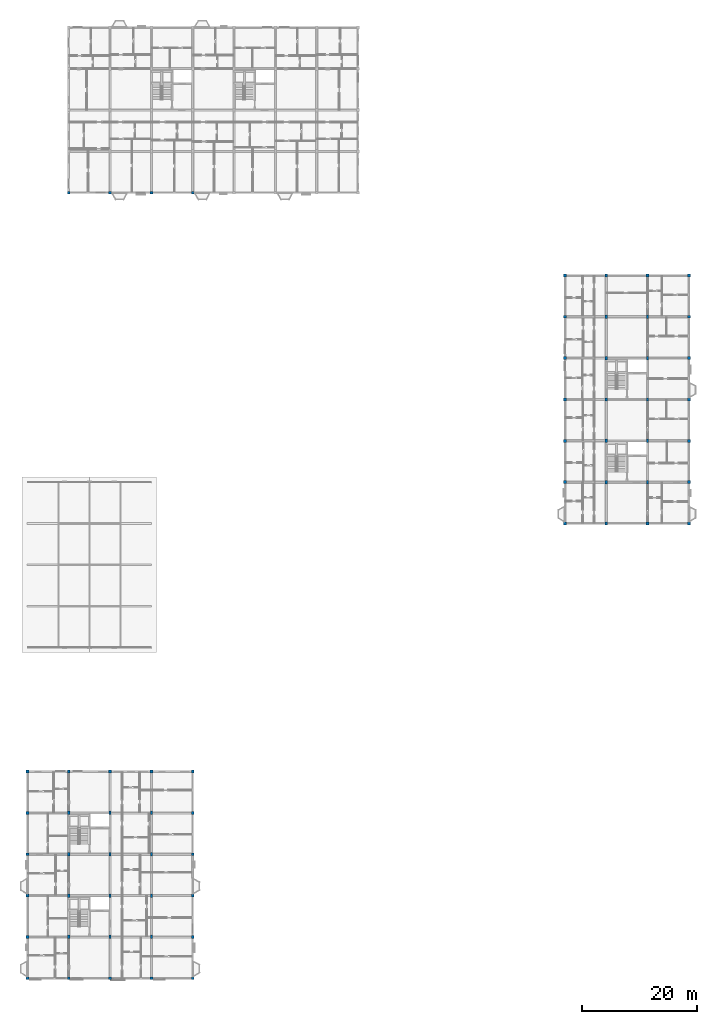
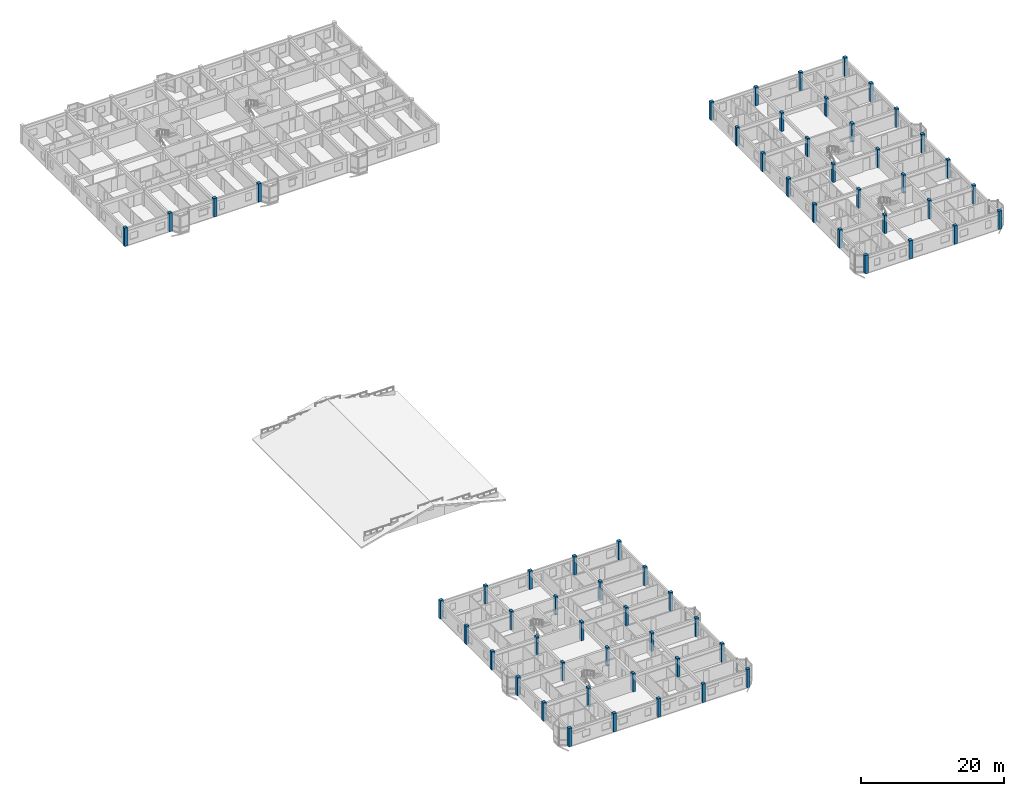
# One storey, part 1 of 65: 62 columns.
"""IFC4 building model written with IfcOpenShell, lengths in metres."""

from ifc_helpers import new_model, si_unit, direction, frame, origin, origin_2d, place, context, subcontext, project, spatial, rectangle, extrude, material, material_profile, profile_set, type_object, element, save


model = new_model("IFC4")

# Units and contexts
model_context = context("Model", 3, precision=1e-05, world=origin(), true_north=direction((0.0, 1.0)))
body_context = subcontext(model_context, "Body", "Model", "MODEL_VIEW")
ifc_project = project(units=[si_unit("LENGTHUNIT", "METRE"), si_unit("AREAUNIT", "SQUARE_METRE"), si_unit("VOLUMEUNIT", "CUBIC_METRE"), si_unit("PLANEANGLEUNIT", "RADIAN"), si_unit("MASSUNIT", "GRAM", prefix="KILO"), si_unit("THERMODYNAMICTEMPERATUREUNIT", "KELVIN"), si_unit("POWERUNIT", "WATT")], contexts=[model_context])

# Site, building, storey
site_placement = place(None, origin())
site = spatial("IfcSite", under=ifc_project, at=site_placement, CompositionType="ELEMENT")
building_placement = place(site_placement, origin())
building = spatial("IfcBuilding", under=site, at=building_placement, Name="Tavuni Mirador Residences", CompositionType="ELEMENT")
storey_placement = place(building_placement, frame((0.0, 0.0, 29.699951171875)))
storey = spatial("IfcBuildingStorey", under=building, at=storey_placement, Name="L09", CompositionType="ELEMENT", Elevation=29.699951171875)

# Columns
ifc_material = material(Name="Precast concrete C40/50", Category="concrete")
ifc_material_profile_1 = material_profile(ifc_material, rectangle(XDim=0.39990234375, YDim=0.60009765625, at=origin_2d()), Name="RC 400x600", Category="concrete")
ifc_profile_set_1 = profile_set([ifc_material_profile_1], Name="Precast concrete C40/50")
column_type_1 = type_object("IfcColumnType", Name="CT-RC400X600", PredefinedType="COLUMN", material=ifc_profile_set_1)
for number, where, z_axis, x_axis, name in (
    (1, (10.800048828125, 14.39990234375, 0.0), (0.0, 0.0, 1.0), (1.0, 0.0, 0.0), "COL-BLK-A-L09-01-01"),
    (2, (10.800048828125, 21.60009765625, 0.0), (0.0, 0.0, 1.0), (1.0, 0.0, 0.0), "COL-BLK-A-L09-01-02"),
    (3, (10.800048828125, 28.800048828125, 0.0), (0.0, 0.0, 1.0), (1.0, 0.0, 0.0), "COL-BLK-A-L09-01-03"),
    (4, (10.800048828125, 36.0, 0.0), (0.0, 0.0, 1.0), (1.0, 0.0, 0.0), "COL-BLK-A-L09-01-04"),
    (5, (18.0, 14.39990234375, 0.0), (0.0, 0.0, 1.0), (1.0, 0.0, 0.0), "COL-BLK-A-L09-02-01"),
    (6, (18.0, 21.60009765625, 0.0), (0.0, 0.0, 1.0), (1.0, 0.0, 0.0), "COL-BLK-A-L09-02-02"),
    (7, (18.0, 28.800048828125, 0.0), (0.0, 0.0, 1.0), (1.0, 0.0, 0.0), "COL-BLK-A-L09-02-03"),
    (8, (18.0, 36.0, 0.0), (0.0, 0.0, 1.0), (1.0, 0.0, 0.0), "COL-BLK-A-L09-02-04"),
    (9, (25.199951171875, 14.39990234375, 0.0), (0.0, 0.0, 1.0), (1.0, 0.0, 0.0), "COL-BLK-A-L09-03-01"),
    (10, (25.199951171875, 21.60009765625, 0.0), (0.0, 0.0, 1.0), (1.0, 0.0, 0.0), "COL-BLK-A-L09-03-02"),
    (11, (25.199951171875, 28.800048828125, 0.0), (0.0, 0.0, 1.0), (1.0, 0.0, 0.0), "COL-BLK-A-L09-03-03"),
    (12, (25.199951171875, 36.0, 0.0), (0.0, 0.0, 1.0), (1.0, 0.0, 0.0), "COL-BLK-A-L09-03-04"),
    (13, (104.39990234375, 93.60009765625, 0.0), (0.0, 0.0, 1.0), (1.0, 0.0, 0.0), "COL-BLK-D-L09-01-01"),
    (14, (104.39990234375, 100.800048828125, 0.0), (0.0, 0.0, 1.0), (1.0, 0.0, 0.0), "COL-BLK-D-L09-01-02"),
    (15, (104.39990234375, 108.0, 0.0), (0.0, 0.0, 1.0), (1.0, 0.0, 0.0), "COL-BLK-D-L09-01-03"),
    (16, (104.39990234375, 115.199951171875, 0.0), (0.0, 0.0, 1.0), (1.0, 0.0, 0.0), "COL-BLK-D-L09-01-04"),
    (17, (104.39990234375, 122.39990234375, 0.0), (0.0, 0.0, 1.0), (1.0, 0.0, 0.0), "COL-BLK-D-L09-01-05"),
    (18, (111.60009765625, 93.60009765625, 0.0), (0.0, 0.0, 1.0), (1.0, 0.0, 0.0), "COL-BLK-D-L09-02-01"),
    (19, (111.60009765625, 100.800048828125, 0.0), (0.0, 0.0, 1.0), (1.0, 0.0, 0.0), "COL-BLK-D-L09-02-02"),
    (20, (111.60009765625, 108.0, 0.0), (0.0, 0.0, 1.0), (1.0, 0.0, 0.0), "COL-BLK-D-L09-02-03"),
    (21, (111.60009765625, 115.199951171875, 0.0), (0.0, 0.0, 1.0), (1.0, 0.0, 0.0), "COL-BLK-D-L09-02-04"),
    (22, (111.60009765625, 122.39990234375, 0.0), (0.0, 0.0, 1.0), (1.0, 0.0, 0.0), "COL-BLK-D-L09-02-05"),
):
    element("IfcColumn", number, at=place(storey_placement, frame(where, z_axis=z_axis, x_axis=x_axis)), inside=storey, type_object=column_type_1, Name=name, PredefinedType="COLUMN", context=body_context, shape_type="SweptSolid", body=[
        extrude(rectangle(XDim=0.39990234375, YDim=0.60009765625, at=origin_2d()), origin(), (0.0, 0.0, 1.0), 3.150146484375),
    ])
ifc_material_profile_2 = material_profile(ifc_material, rectangle(XDim=0.5, YDim=0.5, at=origin_2d()), Name="RC 500x500", Category="concrete")
ifc_profile_set_2 = profile_set([ifc_material_profile_2], Name="Precast concrete C40/50")
column_type_2 = type_object("IfcColumnType", Name="CT-RC500", PredefinedType="COLUMN", material=ifc_profile_set_2)
for number, where, z_axis, x_axis, name in (
    (23, (3.60009765625, 7.199951171875, 0.0), (0.0, 0.0, 1.0), (1.0, 0.0, 0.0), "COL-BLK-A-L09-00-00"),
    (24, (3.60009765625, 14.39990234375, 0.0), (0.0, 0.0, 1.0), (1.0, 0.0, 0.0), "COL-BLK-A-L09-00-01"),
    (25, (3.60009765625, 21.60009765625, 0.0), (0.0, 0.0, 1.0), (1.0, 0.0, 0.0), "COL-BLK-A-L09-00-02"),
    (26, (3.60009765625, 28.800048828125, 0.0), (0.0, 0.0, 1.0), (1.0, 0.0, 0.0), "COL-BLK-A-L09-00-03"),
    (27, (3.60009765625, 36.0, 0.0), (0.0, 0.0, 1.0), (1.0, 0.0, 0.0), "COL-BLK-A-L09-00-04"),
    (28, (3.60009765625, 43.199951171875, 0.0), (0.0, 0.0, 1.0), (1.0, 0.0, 0.0), "COL-BLK-A-L09-00-05"),
    (29, (10.800048828125, 7.199951171875, 0.0), (0.0, 0.0, 1.0), (1.0, 0.0, 0.0), "COL-BLK-A-L09-01-00"),
    (30, (10.800048828125, 43.199951171875, 0.0), (0.0, 0.0, 1.0), (1.0, 0.0, 0.0), "COL-BLK-A-L09-01-05"),
    (31, (18.0, 7.199951171875, 0.0), (0.0, 0.0, 1.0), (1.0, 0.0, 0.0), "COL-BLK-A-L09-02-00"),
    (32, (18.0, 43.199951171875, 0.0), (0.0, 0.0, 1.0), (1.0, 0.0, 0.0), "COL-BLK-A-L09-02-05"),
    (33, (25.199951171875, 7.199951171875, 0.0), (0.0, 0.0, 1.0), (1.0, 0.0, 0.0), "COL-BLK-A-L09-03-00"),
    (34, (25.199951171875, 43.199951171875, 0.0), (0.0, 0.0, 1.0), (1.0, 0.0, 0.0), "COL-BLK-A-L09-03-05"),
    (35, (32.39990234375, 7.199951171875, 0.0), (0.0, 0.0, 1.0), (1.0, 0.0, 0.0), "COL-BLK-A-L09-04-00"),
    (36, (32.39990234375, 14.39990234375, 0.0), (0.0, 0.0, 1.0), (1.0, 0.0, 0.0), "COL-BLK-A-L09-04-01"),
    (37, (32.39990234375, 21.60009765625, 0.0), (0.0, 0.0, 1.0), (1.0, 0.0, 0.0), "COL-BLK-A-L09-04-02"),
    (38, (32.39990234375, 28.800048828125, 0.0), (0.0, 0.0, 1.0), (1.0, 0.0, 0.0), "COL-BLK-A-L09-04-03"),
    (39, (32.39990234375, 36.0, 0.0), (0.0, 0.0, 1.0), (1.0, 0.0, 0.0), "COL-BLK-A-L09-04-04"),
    (40, (32.39990234375, 43.199951171875, 0.0), (0.0, 0.0, 1.0), (1.0, 0.0, 0.0), "COL-BLK-A-L09-04-05"),
    (41, (10.800048828125, 144.0, 0.0), (0.0, 0.0, 1.0), (1.0, 0.0, 0.0), "COL-BLK-C-L09-00-00"),
    (42, (18.0, 144.0, 0.0), (0.0, 0.0, 1.0), (1.0, 0.0, 0.0), "COL-BLK-C-L09-01-00"),
    (43, (25.199951171875, 144.0, 0.0), (0.0, 0.0, 1.0), (1.0, 0.0, 0.0), "COL-BLK-C-L09-02-00"),
    (44, (32.39990234375, 144.0, 0.0), (0.0, 0.0, 1.0), (1.0, 0.0, 0.0), "COL-BLK-C-L09-03-00"),
    (45, (97.199951171875, 86.39990234375, 0.0), (0.0, 0.0, 1.0), (1.0, 0.0, 0.0), "COL-BLK-D-L09-00-00"),
    (46, (97.199951171875, 93.60009765625, 0.0), (0.0, 0.0, 1.0), (1.0, 0.0, 0.0), "COL-BLK-D-L09-00-01"),
    (47, (97.199951171875, 100.800048828125, 0.0), (0.0, 0.0, 1.0), (1.0, 0.0, 0.0), "COL-BLK-D-L09-00-02"),
    (48, (97.199951171875, 108.0, 0.0), (0.0, 0.0, 1.0), (1.0, 0.0, 0.0), "COL-BLK-D-L09-00-03"),
    (49, (97.199951171875, 115.199951171875, 0.0), (0.0, 0.0, 1.0), (1.0, 0.0, 0.0), "COL-BLK-D-L09-00-04"),
    (50, (97.199951171875, 122.39990234375, 0.0), (0.0, 0.0, 1.0), (1.0, 0.0, 0.0), "COL-BLK-D-L09-00-05"),
    (51, (97.199951171875, 129.60009765625, 0.0), (0.0, 0.0, 1.0), (1.0, 0.0, 0.0), "COL-BLK-D-L09-00-06"),
    (52, (104.39990234375, 86.39990234375, 0.0), (0.0, 0.0, 1.0), (1.0, 0.0, 0.0), "COL-BLK-D-L09-01-00"),
    (53, (104.39990234375, 129.60009765625, 0.0), (0.0, 0.0, 1.0), (1.0, 0.0, 0.0), "COL-BLK-D-L09-01-06"),
    (54, (111.60009765625, 86.39990234375, 0.0), (0.0, 0.0, 1.0), (1.0, 0.0, 0.0), "COL-BLK-D-L09-02-00"),
    (55, (111.60009765625, 129.60009765625, 0.0), (0.0, 0.0, 1.0), (1.0, 0.0, 0.0), "COL-BLK-D-L09-02-06"),
    (56, (118.800048828125, 86.39990234375, 0.0), (0.0, 0.0, 1.0), (1.0, 0.0, 0.0), "COL-BLK-D-L09-03-00"),
    (57, (118.800048828125, 93.60009765625, 0.0), (0.0, 0.0, 1.0), (1.0, 0.0, 0.0), "COL-BLK-D-L09-03-01"),
    (58, (118.800048828125, 100.800048828125, 0.0), (0.0, 0.0, 1.0), (1.0, 0.0, 0.0), "COL-BLK-D-L09-03-02"),
    (59, (118.800048828125, 108.0, 0.0), (0.0, 0.0, 1.0), (1.0, 0.0, 0.0), "COL-BLK-D-L09-03-03"),
    (60, (118.800048828125, 115.199951171875, 0.0), (0.0, 0.0, 1.0), (1.0, 0.0, 0.0), "COL-BLK-D-L09-03-04"),
    (61, (118.800048828125, 122.39990234375, 0.0), (0.0, 0.0, 1.0), (1.0, 0.0, 0.0), "COL-BLK-D-L09-03-05"),
    (62, (118.800048828125, 129.60009765625, 0.0), (0.0, 0.0, 1.0), (1.0, 0.0, 0.0), "COL-BLK-D-L09-03-06"),
):
    element("IfcColumn", number, at=place(storey_placement, frame(where, z_axis=z_axis, x_axis=x_axis)), inside=storey, type_object=column_type_2, Name=name, PredefinedType="COLUMN", context=body_context, shape_type="SweptSolid", body=[
        extrude(rectangle(XDim=0.5, YDim=0.5, at=origin_2d()), origin(), (0.0, 0.0, 1.0), 3.150146484375),
    ])

save(model, "model.ifc")
